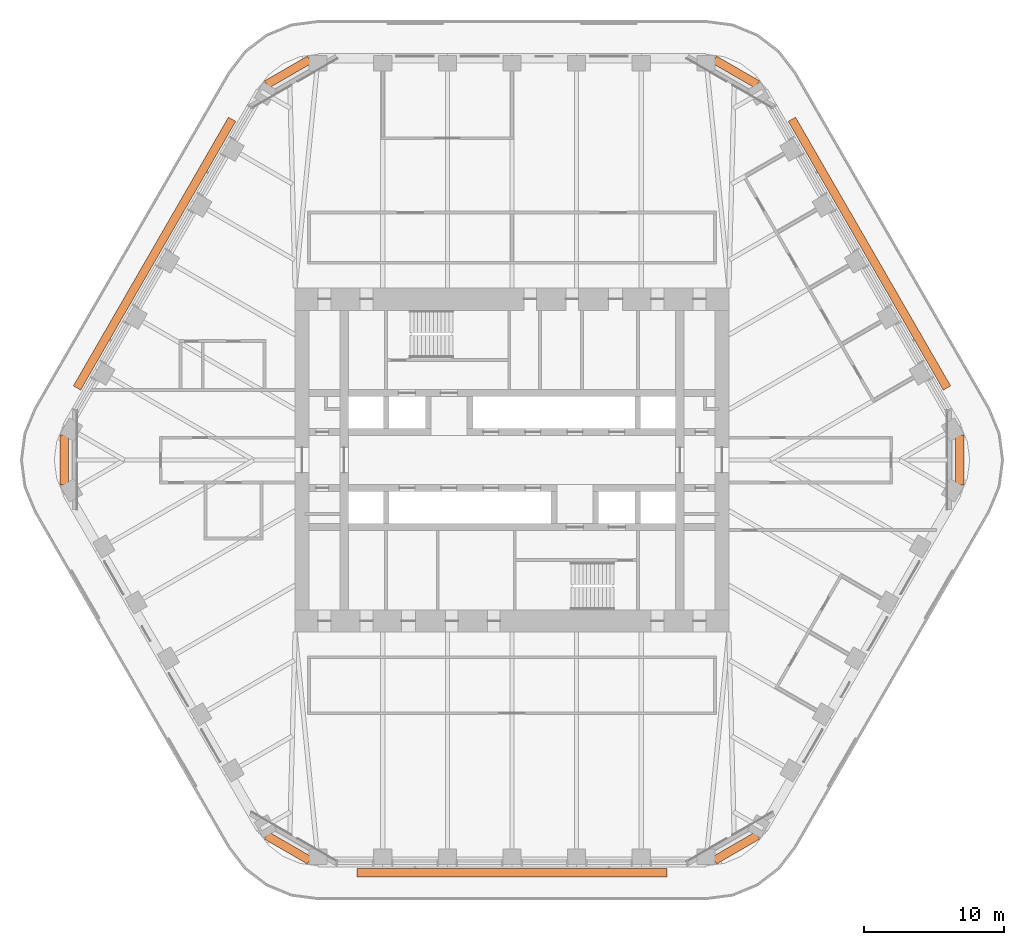
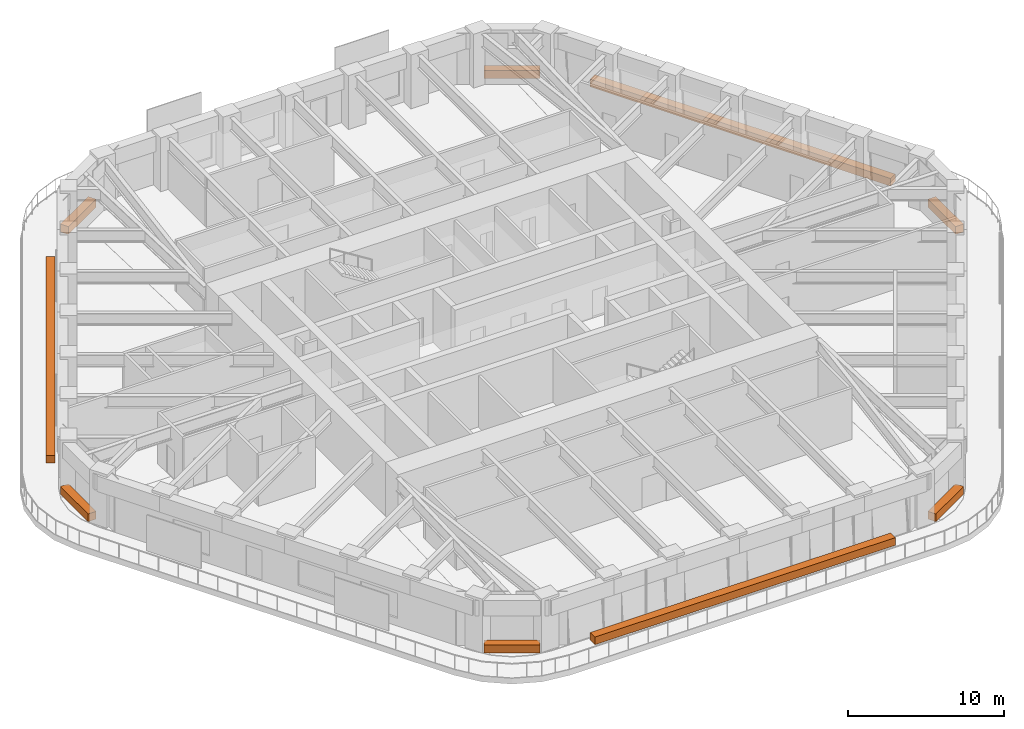
# One storey, part 20 of 20: 9 proxies.
"""IFC4 building model written with IfcOpenShell, lengths in metres."""

from ifc_helpers import new_model, si_unit, direction, frame, origin, origin_2d, place, context, subcontext, project, spatial, rectangle, extrude, material, element, save


model = new_model("IFC4")

# Units and contexts
model_context = context("Model", 3, precision=1e-05, world=origin(), true_north=direction((0.0, 1.0)))
body_context = subcontext(model_context, "Body", "Model", "MODEL_VIEW")
ifc_project = project(units=[si_unit("LENGTHUNIT", "METRE"), si_unit("AREAUNIT", "SQUARE_METRE"), si_unit("VOLUMEUNIT", "CUBIC_METRE"), si_unit("PLANEANGLEUNIT", "RADIAN"), si_unit("MASSUNIT", "GRAM", prefix="KILO")], contexts=[model_context])

# Site, building, storey
site_placement = place(None, origin())
site = spatial("IfcSite", under=ifc_project, at=site_placement, CompositionType="ELEMENT")
building_placement = place(site_placement, origin())
building = spatial("IfcBuilding", under=site, at=building_placement, Name="Tarfa Lantern Tower", CompositionType="ELEMENT")
storey_placement = place(building_placement, frame((0.0, 0.0, 240.699951171875)))
storey = spatial("IfcBuildingStorey", under=building, at=storey_placement, Name="L54", CompositionType="ELEMENT", Elevation=240.699951171875)

# Proxies
ifc_material = material(Name="Planting bed")
for number, where, z_axis, x_axis, name in (
    (1, (16.006591796875, 27.72412109375, 0.0400390625), (0.0, 0.0, 1.0), (-0.866025403784, 0.5, 0.0), "Sky garden planter"),
    (2, (-16.006591796875, 27.72412109375, 0.0400390625), (0.0, 0.0, 1.0), (-0.866025403784, -0.5, 0.0), "Sky garden planter"),
    (3, (-32.012939453125, 0.0, 0.0400390625), (0.0, 0.0, 1.0), (0.0, -1.0, 0.0), "Sky garden planter"),
    (4, (-16.006591796875, -27.72412109375, 0.0400390625), (0.0, 0.0, 1.0), (0.866025403784, -0.5, 0.0), "Sky garden planter"),
    (5, (16.006591796875, -27.72412109375, 0.0400390625), (0.0, 0.0, 1.0), (0.866025403784, 0.5, 0.0), "Sky garden planter"),
    (6, (32.012939453125, 0.0, 0.0400390625), (0.0, 0.0, 1.0), (0.0, 1.0, 0.0), "Sky garden planter"),
):
    element("IfcBuildingElementProxy", number, at=place(storey_placement, frame(where, z_axis=z_axis, x_axis=x_axis)), inside=storey, material=ifc_material, Name=name, ObjectType="PLANTER", PredefinedType="USERDEFINED", context=body_context, shape_type="SweptSolid", body=[
        extrude(rectangle(XDim=3.551025390625, YDim=0.60009765625, at=origin_2d()), origin(), (0.0, 0.0, 1.0), 0.60009765625),
    ])
for number, where, z_axis, x_axis, name in (
    (7, (25.5478515625, 14.75, 0.0), (0.0, 0.0, 1.0), (-0.5, 0.866025403784, 0.0), "Balcony planter"),
    (8, (-25.5478515625, 14.75, 0.0), (0.0, 0.0, 1.0), (-0.5, -0.866025403784, 0.0), "Balcony planter"),
    (9, (0.0, -29.5, 0.0), (0.0, 0.0, 1.0), (1.0, 0.0, 0.0), "Balcony planter"),
):
    element("IfcBuildingElementProxy", number, at=place(storey_placement, frame(where, z_axis=z_axis, x_axis=x_axis)), inside=storey, material=ifc_material, Name=name, ObjectType="PLANTER", PredefinedType="USERDEFINED", context=body_context, shape_type="SweptSolid", body=[
        extrude(rectangle(XDim=22.170166015625, YDim=0.60009765625, at=origin_2d()), origin(), (0.0, 0.0, 1.0), 0.60009765625),
    ])

save(model, "model.ifc")
